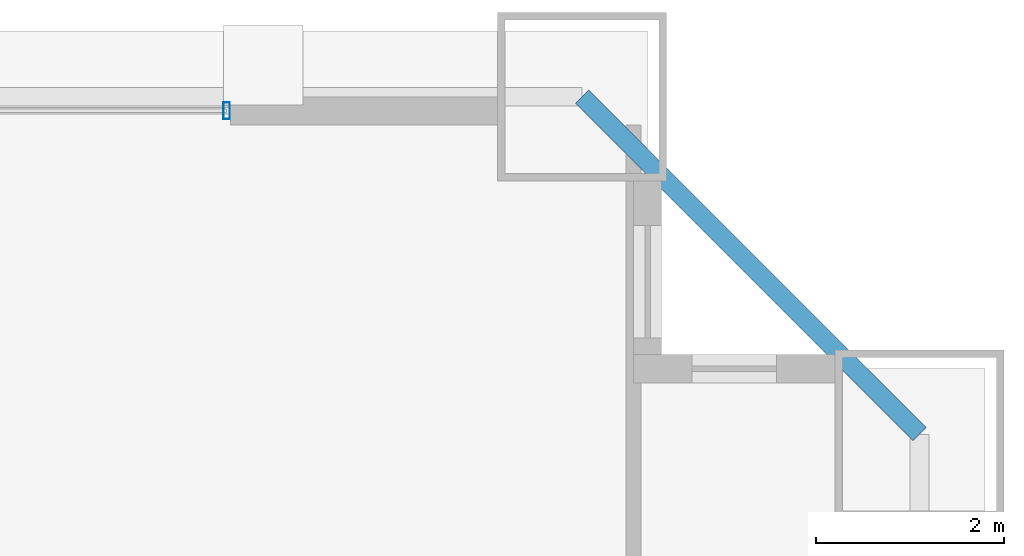
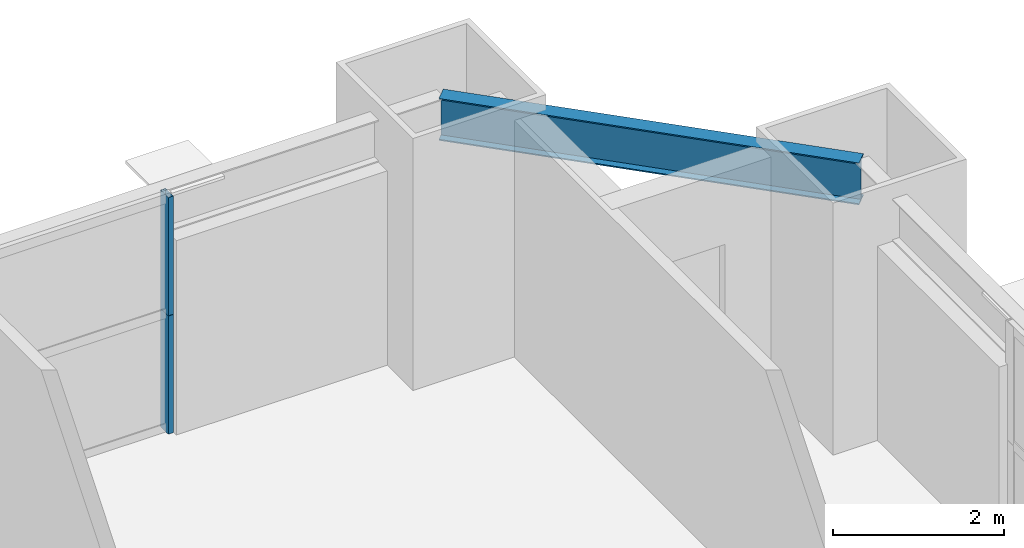
# One storey, part 38 of 45: 2 members, 1 beam, 1 element without a shape of its own.
"""IFC4 building model written with IfcOpenShell, lengths in metres."""

from ifc_helpers import new_model, si_unit, direction, frame, origin, origin_2d, place, context, subcontext, project, spatial, hollow_rectangle, i_section, extrude, source, transform, mapped, material, layer, layer_set, material_profile, profile_set, type_object, element, aggregate, save


model = new_model("IFC4")

# Units and contexts
model_context = context("Model", 3, precision=1e-05, world=origin(), true_north=direction((0.0, 1.0)))
body_context = subcontext(model_context, "Body", "Model", "MODEL_VIEW")
ifc_project = project(units=[si_unit("LENGTHUNIT", "METRE"), si_unit("AREAUNIT", "SQUARE_METRE"), si_unit("VOLUMEUNIT", "CUBIC_METRE"), si_unit("PLANEANGLEUNIT", "RADIAN"), si_unit("MASSUNIT", "GRAM", prefix="KILO"), si_unit("THERMODYNAMICTEMPERATUREUNIT", "KELVIN"), si_unit("POWERUNIT", "WATT")], contexts=[model_context])

# Site, building, storey
site_placement = place(None, origin())
site = spatial("IfcSite", under=ifc_project, at=site_placement, CompositionType="ELEMENT")
building_placement = place(site_placement, origin())
building = spatial("IfcBuilding", under=site, at=building_placement, Name="Yuzanri Waterfront Tower", CompositionType="ELEMENT")
storey_placement = place(building_placement, frame((0.0, 0.0, 34.199951171875)))
storey = spatial("IfcBuildingStorey", under=building, at=storey_placement, Name="L08", CompositionType="ELEMENT", Elevation=34.199951171875)

# Beam
ifc_material_1 = material(Name="Steel Q355B", Category="steel")
ifc_material_profile_1 = material_profile(ifc_material_1, i_section(OverallWidth=0.199951171875, OverallDepth=0.60009765625, WebThickness=0.010986328125, FlangeThickness=0.01708984375, at=origin_2d()), Name="HN 600x200x11x17")
ifc_profile_set_1 = profile_set([ifc_material_profile_1], Name="Steel Q355B")
beam_type = type_object("IfcBeamType", Name="Perimeter Spandrel Q355B HN 600x200", PredefinedType="SPANDREL", material=ifc_profile_set_1)
shared_shape_1 = source(origin(), body_context, "Body", "SweptSolid", [
    extrude(i_section(OverallWidth=0.199951171875, OverallDepth=0.60009765625, WebThickness=0.010986328125, FlangeThickness=0.01708984375, at=origin_2d()), origin(), (0.0, 0.0, 1.0), 5.091064453125),
])
beam_placement = place(storey_placement, frame((62.10009765625, 47.300048828125, 3.080078125), z_axis=(-0.707130757816, 0.707082803744, 0.0), x_axis=(-0.707082803744, -0.707130757816, 0.0)))
element("IfcBeam", 1, at=beam_placement, inside=storey, type_object=beam_type, Name="L08 Perimeter Spandrel E3-N3", PredefinedType="SPANDREL", context=body_context, shape_type="MappedRepresentation", body=[
    mapped(shared_shape_1, transform((0.0, 0.0, 0.0), scale=1.0)),
])

# Curtain wall, members
ifc_material_2 = material(Name="Anodized Architectural Bronze", Category="metal")
ifc_layer = layer(ifc_material_2, 0.159912109375)
ifc_layer_set = layer_set([ifc_layer], Name="Anodized Architectural Bronze")
curtain_wall_type = type_object("IfcCurtainWallType", Name="Anodized Bronze Hotel Lower-Tier Recessed Unitized Curtain Wall 8100", PredefinedType="NOTDEFINED", material=ifc_layer_set)
curtain_wall_placement = place(storey_placement, origin())
curtain_wall = element("IfcCurtainWall", 2, at=curtain_wall_placement, inside=storey, type_object=curtain_wall_type, Name="L08 Curtain Wall CW-L08-NR", PredefinedType="NOTDEFINED")
ifc_material_3 = material(Name="Anodized Architectural Bronze", Category="metal")
ifc_material_profile_2 = material_profile(ifc_material_3, hollow_rectangle(XDim=0.070068359375, YDim=0.179931640625, WallThickness=0.00390625, at=origin_2d()), Name="CWM 70x180")
ifc_profile_set_2 = profile_set([ifc_material_profile_2], Name="Anodized Architectural Bronze")
member_type = type_object("IfcMemberType", Name="Anodized Bronze Standard Curtain-Wall Mullion 70x180", PredefinedType="MULLION", material=ifc_profile_set_2)
shared_shape_2 = source(origin(), body_context, "Body", "SweptSolid", [
    extrude(hollow_rectangle(XDim=0.070068359375, YDim=0.179931640625, WallThickness=0.00390625, at=origin_2d()), origin(), (0.0, 0.0, 1.0), 1.68798828125),
])
member_1_placement = place(storey_placement, frame((54.7099609375, 50.75, 0.0), z_axis=(0.0, 0.0, 1.0), x_axis=(1.0, 0.0, 0.0)))
member_1 = element("IfcMember", 3, at=member_1_placement, type_object=member_type, Name="CW-L08-NR Lower Mullion 02", PredefinedType="MULLION", context=body_context, shape_type="MappedRepresentation", body=[
    mapped(shared_shape_2, transform((0.0, 0.0, 0.0), scale=1.0)),
])
member_2_placement = place(storey_placement, frame((54.7099609375, 50.75, 1.692138671875), z_axis=(0.0, 0.0, 1.0), x_axis=(1.0, 0.0, 0.0)))
member_2 = element("IfcMember", 4, at=member_2_placement, type_object=member_type, Name="CW-L08-NR Upper Mullion 02", PredefinedType="MULLION", context=body_context, shape_type="MappedRepresentation", body=[
    mapped(shared_shape_2, transform((0.0, 0.0, 0.0), scale=1.0)),
])
aggregate(curtain_wall, [member_1, member_2])

save(model, "model.ifc")
